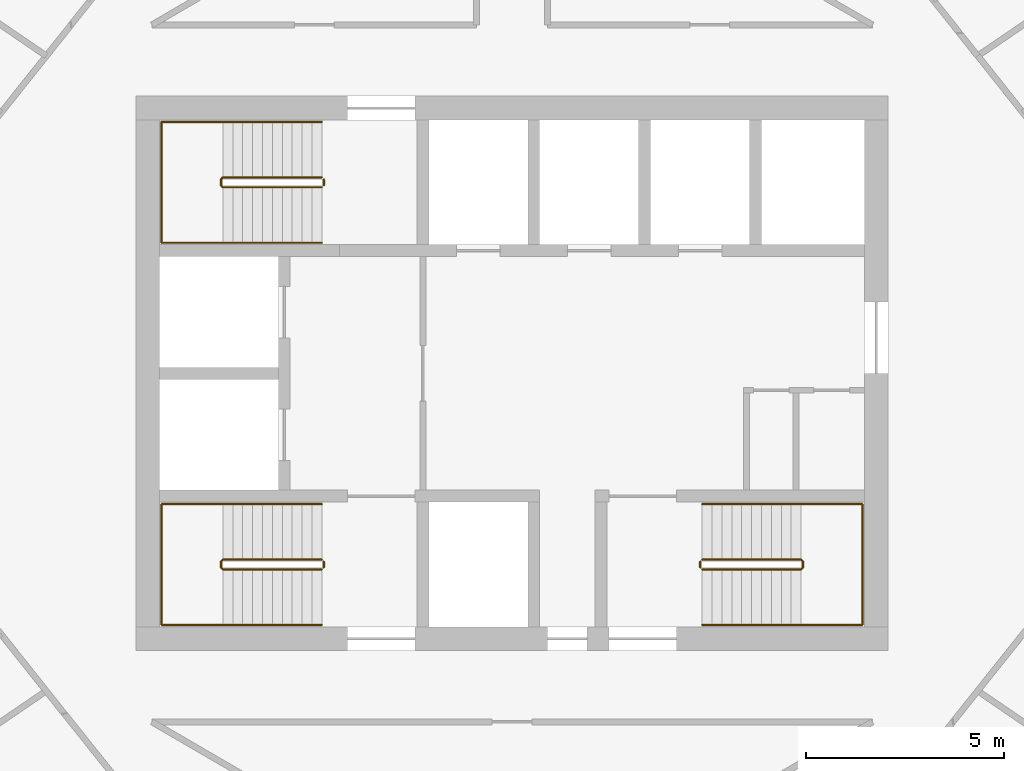
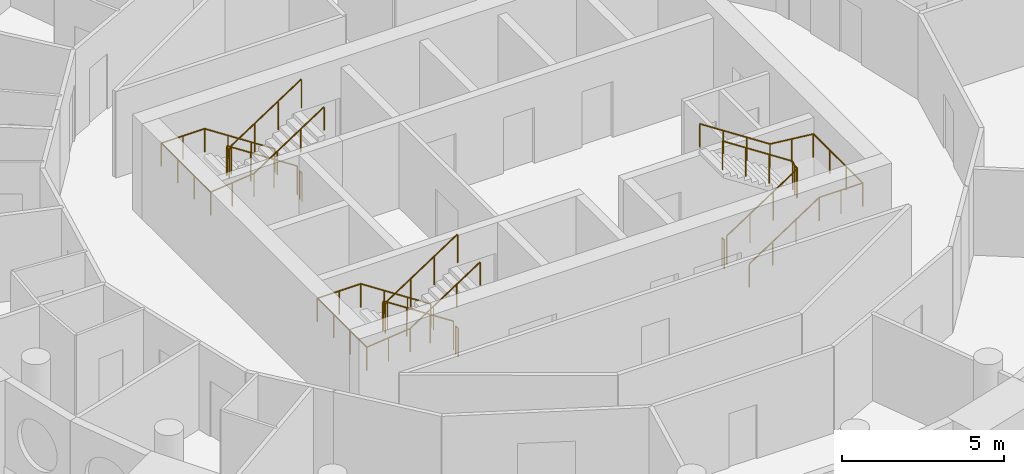
# One storey, part 13 of 13: 9 railings.
"""IFC4 building model written with IfcOpenShell, lengths in metres."""

from ifc_helpers import new_model, si_unit, direction, frame, origin, origin_2d, place, context, subcontext, project, spatial, circle, extrude, material, type_object, element, save


model = new_model("IFC4")

# Units and contexts
model_context = context("Model", 3, precision=1e-05, world=origin(), true_north=direction((0.0, 1.0)))
body_context = subcontext(model_context, "Body", "Model", "MODEL_VIEW")
ifc_project = project(units=[si_unit("LENGTHUNIT", "METRE"), si_unit("AREAUNIT", "SQUARE_METRE"), si_unit("VOLUMEUNIT", "CUBIC_METRE"), si_unit("PLANEANGLEUNIT", "RADIAN"), si_unit("MASSUNIT", "GRAM", prefix="KILO")], contexts=[model_context])

# Site, building, storey
site_placement = place(None, origin())
site = spatial("IfcSite", under=ifc_project, at=site_placement, CompositionType="ELEMENT")
building_placement = place(site_placement, origin())
building = spatial("IfcBuilding", under=site, at=building_placement, Name="Tracery Tower", CompositionType="ELEMENT")
storey_placement = place(building_placement, frame((0.0, 0.0, 309.0)))
storey = spatial("IfcBuildingStorey", under=building, at=storey_placement, Name="L80", CompositionType="ELEMENT", Elevation=309.0)

# Railings
ifc_material_1 = material(Name="Stainless steel and laminated glass", Category="steel")
railing_type_1 = type_object("IfcRailingType", Name="Stair guard 1100", PredefinedType="GUARDRAIL", material=ifc_material_1)
railing_1_placement = place(storey_placement, frame((-4.800048828125, -4.699951171875, 0.16357421875)))
element("IfcRailing", 1, at=railing_1_placement, inside=storey, type_object=railing_type_1, Name="L80 stair ST1 guard 1", PredefinedType="GUARDRAIL", context=body_context, shape_type="SweptSolid", body=[
    extrude(circle(Radius=0.02392578125, at=origin_2d()), frame((0.0, 0.0, 1.076171875), z_axis=(-0.83668449804, 0.0, 0.54768517484), x_axis=(0.0, -1.0, 0.0)), (0.0, 0.0, 1.0), 2.988037109375),
    extrude(circle(Radius=0.02392578125, at=origin_2d()), frame((-2.5, 0.0, 2.71240234375), z_axis=(-0.707106781187, -0.707106781187, 0.0), x_axis=(0.707106781187, -0.707106781187, 0.0)), (0.0, 0.0, 1.0), 0.07080078125),
    extrude(circle(Radius=0.02392578125, at=origin_2d()), frame((-2.550048828125, -0.050048828125, 2.71240234375), z_axis=(0.0, -1.0, 0.0), x_axis=(1.0, 0.0, 0.0)), (0.0, 0.0, 1.0), 0.14990234375),
    extrude(circle(Radius=0.02392578125, at=origin_2d()), frame((-2.550048828125, -0.199951171875, 2.71240234375), z_axis=(0.280808744504, -0.280808744504, 0.917765164963), x_axis=(0.707106781187, 0.707106781187, 0.0)), (0.0, 0.0, 1.0), 0.17822265625),
    extrude(circle(Radius=0.02392578125, at=origin_2d()), frame((-2.5, -0.25, 2.8759765625), z_axis=(0.83668449804, 0.0, 0.54768517484), x_axis=(0.0, 1.0, 0.0)), (0.0, 0.0, 1.0), 2.988037109375),
    extrude(circle(Radius=0.02099609375, at=origin_2d()), origin(), (0.0, 0.0, 1.0), 1.052001953125),
    extrude(circle(Radius=0.02099609375, at=origin_2d()), frame((-0.833251953125, 0.0, 0.54541015625)), (0.0, 0.0, 1.0), 1.052001953125),
    extrude(circle(Radius=0.02099609375, at=origin_2d()), frame((-1.666748046875, 0.0, 1.091064453125)), (0.0, 0.0, 1.0), 1.052001953125),
    extrude(circle(Radius=0.02099609375, at=origin_2d()), frame((-2.5, 0.0, 1.636474609375)), (0.0, 0.0, 1.0), 1.052001953125),
    extrude(circle(Radius=0.02099609375, at=origin_2d()), frame((-2.550048828125, -0.050048828125, 1.636474609375)), (0.0, 0.0, 1.0), 1.052001953125),
    extrude(circle(Radius=0.02099609375, at=origin_2d()), frame((-2.550048828125, -0.199951171875, 1.636474609375)), (0.0, 0.0, 1.0), 1.052001953125),
    extrude(circle(Radius=0.02099609375, at=origin_2d()), frame((-2.5, -0.25, 1.800048828125)), (0.0, 0.0, 1.0), 1.052001953125),
    extrude(circle(Radius=0.02099609375, at=origin_2d()), frame((-1.666748046875, -0.25, 2.345458984375)), (0.0, 0.0, 1.0), 1.052001953125),
    extrude(circle(Radius=0.02099609375, at=origin_2d()), frame((-0.833251953125, -0.25, 2.89111328125)), (0.0, 0.0, 1.0), 1.052001953125),
    extrude(circle(Radius=0.02099609375, at=origin_2d()), frame((0.0, -0.25, 3.4365234375)), (0.0, 0.0, 1.0), 1.052001953125),
])
railing_2_placement = place(storey_placement, frame((-4.75, -4.75, 0.0)))
element("IfcRailing", 2, at=railing_2_placement, inside=storey, type_object=railing_type_1, Name="L80 stair ST1 guard 2", PredefinedType="GUARDRAIL", context=body_context, shape_type="SweptSolid", body=[
    extrude(circle(Radius=0.02392578125, at=origin_2d()), frame((0.0, 0.0, 1.076171875), z_axis=(0.0, -1.0, 0.0), x_axis=(1.0, 0.0, 0.0)), (0.0, 0.0, 1.0), 0.14990234375),
    extrude(circle(Radius=0.02099609375, at=origin_2d()), origin(), (0.0, 0.0, 1.0), 1.052001953125),
    extrude(circle(Radius=0.02099609375, at=origin_2d()), frame((0.0, -0.14990234375, 0.0)), (0.0, 0.0, 1.0), 1.052001953125),
])
railing_3_placement = place(storey_placement, frame((-4.800048828125, 4.949951171875, 0.16357421875)))
element("IfcRailing", 3, at=railing_3_placement, inside=storey, type_object=railing_type_1, Name="L80 stair ST3 guard 1", PredefinedType="GUARDRAIL", context=body_context, shape_type="SweptSolid", body=[
    extrude(circle(Radius=0.02392578125, at=origin_2d()), frame((0.0, 0.0, 1.076171875), z_axis=(-0.83668449804, 0.0, 0.54768517484), x_axis=(0.0, -1.0, 0.0)), (0.0, 0.0, 1.0), 2.988037109375),
    extrude(circle(Radius=0.02392578125, at=origin_2d()), frame((-2.5, 0.0, 2.71240234375), z_axis=(-0.707106781187, -0.707106781187, 0.0), x_axis=(0.707106781187, -0.707106781187, 0.0)), (0.0, 0.0, 1.0), 0.07080078125),
    extrude(circle(Radius=0.02392578125, at=origin_2d()), frame((-2.550048828125, -0.050048828125, 2.71240234375), z_axis=(0.0, -1.0, 0.0), x_axis=(1.0, 0.0, 0.0)), (0.0, 0.0, 1.0), 0.14990234375),
    extrude(circle(Radius=0.02392578125, at=origin_2d()), frame((-2.550048828125, -0.199951171875, 2.71240234375), z_axis=(0.280808744504, -0.280808744504, 0.917765164963), x_axis=(0.707106781187, 0.707106781187, 0.0)), (0.0, 0.0, 1.0), 0.17822265625),
    extrude(circle(Radius=0.02392578125, at=origin_2d()), frame((-2.5, -0.25, 2.8759765625), z_axis=(0.83668449804, 0.0, 0.54768517484), x_axis=(0.0, 1.0, 0.0)), (0.0, 0.0, 1.0), 2.988037109375),
    extrude(circle(Radius=0.02099609375, at=origin_2d()), origin(), (0.0, 0.0, 1.0), 1.052001953125),
    extrude(circle(Radius=0.02099609375, at=origin_2d()), frame((-0.833251953125, 0.0, 0.54541015625)), (0.0, 0.0, 1.0), 1.052001953125),
    extrude(circle(Radius=0.02099609375, at=origin_2d()), frame((-1.666748046875, 0.0, 1.091064453125)), (0.0, 0.0, 1.0), 1.052001953125),
    extrude(circle(Radius=0.02099609375, at=origin_2d()), frame((-2.5, 0.0, 1.636474609375)), (0.0, 0.0, 1.0), 1.052001953125),
    extrude(circle(Radius=0.02099609375, at=origin_2d()), frame((-2.550048828125, -0.050048828125, 1.636474609375)), (0.0, 0.0, 1.0), 1.052001953125),
    extrude(circle(Radius=0.02099609375, at=origin_2d()), frame((-2.550048828125, -0.199951171875, 1.636474609375)), (0.0, 0.0, 1.0), 1.052001953125),
    extrude(circle(Radius=0.02099609375, at=origin_2d()), frame((-2.5, -0.25, 1.800048828125)), (0.0, 0.0, 1.0), 1.052001953125),
    extrude(circle(Radius=0.02099609375, at=origin_2d()), frame((-1.666748046875, -0.25, 2.345458984375)), (0.0, 0.0, 1.0), 1.052001953125),
    extrude(circle(Radius=0.02099609375, at=origin_2d()), frame((-0.833251953125, -0.25, 2.89111328125)), (0.0, 0.0, 1.0), 1.052001953125),
    extrude(circle(Radius=0.02099609375, at=origin_2d()), frame((0.0, -0.25, 3.4365234375)), (0.0, 0.0, 1.0), 1.052001953125),
])
railing_4_placement = place(storey_placement, frame((-4.75, 4.89990234375, 0.0)))
element("IfcRailing", 4, at=railing_4_placement, inside=storey, type_object=railing_type_1, Name="L80 stair ST3 guard 2", PredefinedType="GUARDRAIL", context=body_context, shape_type="SweptSolid", body=[
    extrude(circle(Radius=0.02392578125, at=origin_2d()), frame((0.0, 0.0, 1.076171875), z_axis=(0.0, -1.0, 0.0), x_axis=(1.0, 0.0, 0.0)), (0.0, 0.0, 1.0), 0.14990234375),
    extrude(circle(Radius=0.02099609375, at=origin_2d()), origin(), (0.0, 0.0, 1.0), 1.052001953125),
    extrude(circle(Radius=0.02099609375, at=origin_2d()), frame((0.0, -0.14990234375, 0.0)), (0.0, 0.0, 1.0), 1.052001953125),
])
railing_5_placement = place(storey_placement, frame((4.800048828125, -4.949951171875, 0.16357421875)))
element("IfcRailing", 5, at=railing_5_placement, inside=storey, type_object=railing_type_1, Name="L80 stair ST2 guard 1", PredefinedType="GUARDRAIL", context=body_context, shape_type="SweptSolid", body=[
    extrude(circle(Radius=0.02392578125, at=origin_2d()), frame((0.0, 0.0, 1.076171875), z_axis=(0.83668449804, 0.0, 0.54768517484), x_axis=(0.0, 1.0, 0.0)), (0.0, 0.0, 1.0), 2.988037109375),
    extrude(circle(Radius=0.02392578125, at=origin_2d()), frame((2.5, 0.0, 2.71240234375), z_axis=(0.707106781187, 0.707106781187, 0.0), x_axis=(-0.707106781187, 0.707106781187, 0.0)), (0.0, 0.0, 1.0), 0.07080078125),
    extrude(circle(Radius=0.02392578125, at=origin_2d()), frame((2.550048828125, 0.050048828125, 2.71240234375), z_axis=(0.0, 1.0, 0.0), x_axis=(-1.0, 0.0, 0.0)), (0.0, 0.0, 1.0), 0.14990234375),
    extrude(circle(Radius=0.02392578125, at=origin_2d()), frame((2.550048828125, 0.199951171875, 2.71240234375), z_axis=(-0.280808744504, 0.280808744504, 0.917765164963), x_axis=(-0.707106781187, -0.707106781187, 0.0)), (0.0, 0.0, 1.0), 0.17822265625),
    extrude(circle(Radius=0.02392578125, at=origin_2d()), frame((2.5, 0.25, 2.8759765625), z_axis=(-0.83668449804, 0.0, 0.54768517484), x_axis=(0.0, -1.0, 0.0)), (0.0, 0.0, 1.0), 2.988037109375),
    extrude(circle(Radius=0.02099609375, at=origin_2d()), origin(), (0.0, 0.0, 1.0), 1.052001953125),
    extrude(circle(Radius=0.02099609375, at=origin_2d()), frame((0.833251953125, 0.0, 0.54541015625)), (0.0, 0.0, 1.0), 1.052001953125),
    extrude(circle(Radius=0.02099609375, at=origin_2d()), frame((1.666748046875, 0.0, 1.091064453125)), (0.0, 0.0, 1.0), 1.052001953125),
    extrude(circle(Radius=0.02099609375, at=origin_2d()), frame((2.5, 0.0, 1.636474609375)), (0.0, 0.0, 1.0), 1.052001953125),
    extrude(circle(Radius=0.02099609375, at=origin_2d()), frame((2.550048828125, 0.050048828125, 1.636474609375)), (0.0, 0.0, 1.0), 1.052001953125),
    extrude(circle(Radius=0.02099609375, at=origin_2d()), frame((2.550048828125, 0.199951171875, 1.636474609375)), (0.0, 0.0, 1.0), 1.052001953125),
    extrude(circle(Radius=0.02099609375, at=origin_2d()), frame((2.5, 0.25, 1.800048828125)), (0.0, 0.0, 1.0), 1.052001953125),
    extrude(circle(Radius=0.02099609375, at=origin_2d()), frame((1.666748046875, 0.25, 2.345458984375)), (0.0, 0.0, 1.0), 1.052001953125),
    extrude(circle(Radius=0.02099609375, at=origin_2d()), frame((0.833251953125, 0.25, 2.89111328125)), (0.0, 0.0, 1.0), 1.052001953125),
    extrude(circle(Radius=0.02099609375, at=origin_2d()), frame((0.0, 0.25, 3.4365234375)), (0.0, 0.0, 1.0), 1.052001953125),
])
railing_6_placement = place(storey_placement, frame((4.75, -4.89990234375, 0.0)))
element("IfcRailing", 6, at=railing_6_placement, inside=storey, type_object=railing_type_1, Name="L80 stair ST2 guard 2", PredefinedType="GUARDRAIL", context=body_context, shape_type="SweptSolid", body=[
    extrude(circle(Radius=0.02392578125, at=origin_2d()), frame((0.0, 0.0, 1.076171875), z_axis=(0.0, 1.0, 0.0), x_axis=(-1.0, 0.0, 0.0)), (0.0, 0.0, 1.0), 0.14990234375),
    extrude(circle(Radius=0.02099609375, at=origin_2d()), origin(), (0.0, 0.0, 1.0), 1.052001953125),
    extrude(circle(Radius=0.02099609375, at=origin_2d()), frame((0.0, 0.14990234375, 0.0)), (0.0, 0.0, 1.0), 1.052001953125),
])
ifc_material_2 = material(Name="Stainless steel and laminated glass", Category="steel")
railing_type_2 = type_object("IfcRailingType", Name="Stair handrail 900", PredefinedType="HANDRAIL", material=ifc_material_2)
railing_7_placement = place(storey_placement, frame((-4.800048828125, -3.300048828125, 0.16357421875)))
element("IfcRailing", 7, at=railing_7_placement, inside=storey, type_object=railing_type_2, Name="L80 stair ST1 handrail 1", PredefinedType="HANDRAIL", context=body_context, shape_type="SweptSolid", body=[
    extrude(circle(Radius=0.02392578125, at=origin_2d()), frame((0.0, 0.0, 0.8759765625), z_axis=(-0.83668449804, 0.0, 0.54768517484), x_axis=(0.0, -1.0, 0.0)), (0.0, 0.0, 1.0), 2.988037109375),
    extrude(circle(Radius=0.02392578125, at=origin_2d()), frame((-2.5, 0.0, 2.51220703125), z_axis=(-1.0, 0.0, 0.0), x_axis=(0.0, -1.0, 0.0)), (0.0, 0.0, 1.0), 1.550048828125),
    extrude(circle(Radius=0.02392578125, at=origin_2d()), frame((-4.050048828125, 0.0, 2.51220703125), z_axis=(0.0, -1.0, 0.0), x_axis=(1.0, 0.0, 0.0)), (0.0, 0.0, 1.0), 3.050048828125),
    extrude(circle(Radius=0.02392578125, at=origin_2d()), frame((-4.050048828125, -3.050048828125, 2.51220703125), z_axis=(0.994477953863, 0.0, 0.104945696817), x_axis=(0.0, 1.0, 0.0)), (0.0, 0.0, 1.0), 1.55859375),
    extrude(circle(Radius=0.02392578125, at=origin_2d()), frame((-2.5, -3.050048828125, 2.67578125), z_axis=(0.83668449804, 0.0, 0.54768517484), x_axis=(0.0, 1.0, 0.0)), (0.0, 0.0, 1.0), 2.988037109375),
    extrude(circle(Radius=0.02099609375, at=origin_2d()), origin(), (0.0, 0.0, 1.0), 0.851806640625),
    extrude(circle(Radius=0.02099609375, at=origin_2d()), frame((-0.833251953125, 0.0, 0.54541015625)), (0.0, 0.0, 1.0), 0.851806640625),
    extrude(circle(Radius=0.02099609375, at=origin_2d()), frame((-1.666748046875, 0.0, 1.091064453125)), (0.0, 0.0, 1.0), 0.851806640625),
    extrude(circle(Radius=0.02099609375, at=origin_2d()), frame((-2.5, 0.0, 1.636474609375)), (0.0, 0.0, 1.0), 0.851806640625),
    extrude(circle(Radius=0.02099609375, at=origin_2d()), frame((-3.27490234375, 0.0, 1.636474609375)), (0.0, 0.0, 1.0), 0.851806640625),
    extrude(circle(Radius=0.02099609375, at=origin_2d()), frame((-4.050048828125, 0.0, 1.636474609375)), (0.0, 0.0, 1.0), 0.851806640625),
    extrude(circle(Radius=0.02099609375, at=origin_2d()), frame((-4.050048828125, -1.0166015625, 1.636474609375)), (0.0, 0.0, 1.0), 0.851806640625),
    extrude(circle(Radius=0.02099609375, at=origin_2d()), frame((-4.050048828125, -2.033447265625, 1.636474609375)), (0.0, 0.0, 1.0), 0.851806640625),
    extrude(circle(Radius=0.02099609375, at=origin_2d()), frame((-4.050048828125, -3.050048828125, 1.636474609375)), (0.0, 0.0, 1.0), 0.851806640625),
    extrude(circle(Radius=0.02099609375, at=origin_2d()), frame((-3.27490234375, -3.050048828125, 1.71826171875)), (0.0, 0.0, 1.0), 0.851806640625),
    extrude(circle(Radius=0.02099609375, at=origin_2d()), frame((-2.5, -3.050048828125, 1.800048828125)), (0.0, 0.0, 1.0), 0.851806640625),
    extrude(circle(Radius=0.02099609375, at=origin_2d()), frame((-1.666748046875, -3.050048828125, 2.345458984375)), (0.0, 0.0, 1.0), 0.851806640625),
    extrude(circle(Radius=0.02099609375, at=origin_2d()), frame((-0.833251953125, -3.050048828125, 2.89111328125)), (0.0, 0.0, 1.0), 0.851806640625),
    extrude(circle(Radius=0.02099609375, at=origin_2d()), frame((0.0, -3.050048828125, 3.4365234375)), (0.0, 0.0, 1.0), 0.851806640625),
])
railing_8_placement = place(storey_placement, frame((-4.800048828125, 6.35009765625, 0.16357421875)))
element("IfcRailing", 8, at=railing_8_placement, inside=storey, type_object=railing_type_2, Name="L80 stair ST3 handrail 1", PredefinedType="HANDRAIL", context=body_context, shape_type="SweptSolid", body=[
    extrude(circle(Radius=0.02392578125, at=origin_2d()), frame((0.0, 0.0, 0.8759765625), z_axis=(-0.83668449804, 0.0, 0.54768517484), x_axis=(0.0, -1.0, 0.0)), (0.0, 0.0, 1.0), 2.988037109375),
    extrude(circle(Radius=0.02392578125, at=origin_2d()), frame((-2.5, 0.0, 2.51220703125), z_axis=(-1.0, 0.0, 0.0), x_axis=(0.0, -1.0, 0.0)), (0.0, 0.0, 1.0), 1.550048828125),
    extrude(circle(Radius=0.02392578125, at=origin_2d()), frame((-4.050048828125, 0.0, 2.51220703125), z_axis=(0.0, -1.0, 0.0), x_axis=(1.0, 0.0, 0.0)), (0.0, 0.0, 1.0), 3.050048828125),
    extrude(circle(Radius=0.02392578125, at=origin_2d()), frame((-4.050048828125, -3.050048828125, 2.51220703125), z_axis=(0.994477953863, 0.0, 0.104945696817), x_axis=(0.0, 1.0, 0.0)), (0.0, 0.0, 1.0), 1.55859375),
    extrude(circle(Radius=0.02392578125, at=origin_2d()), frame((-2.5, -3.050048828125, 2.67578125), z_axis=(0.83668449804, 0.0, 0.54768517484), x_axis=(0.0, 1.0, 0.0)), (0.0, 0.0, 1.0), 2.988037109375),
    extrude(circle(Radius=0.02099609375, at=origin_2d()), origin(), (0.0, 0.0, 1.0), 0.851806640625),
    extrude(circle(Radius=0.02099609375, at=origin_2d()), frame((-0.833251953125, 0.0, 0.54541015625)), (0.0, 0.0, 1.0), 0.851806640625),
    extrude(circle(Radius=0.02099609375, at=origin_2d()), frame((-1.666748046875, 0.0, 1.091064453125)), (0.0, 0.0, 1.0), 0.851806640625),
    extrude(circle(Radius=0.02099609375, at=origin_2d()), frame((-2.5, 0.0, 1.636474609375)), (0.0, 0.0, 1.0), 0.851806640625),
    extrude(circle(Radius=0.02099609375, at=origin_2d()), frame((-3.27490234375, 0.0, 1.636474609375)), (0.0, 0.0, 1.0), 0.851806640625),
    extrude(circle(Radius=0.02099609375, at=origin_2d()), frame((-4.050048828125, 0.0, 1.636474609375)), (0.0, 0.0, 1.0), 0.851806640625),
    extrude(circle(Radius=0.02099609375, at=origin_2d()), frame((-4.050048828125, -1.0166015625, 1.636474609375)), (0.0, 0.0, 1.0), 0.851806640625),
    extrude(circle(Radius=0.02099609375, at=origin_2d()), frame((-4.050048828125, -2.033447265625, 1.636474609375)), (0.0, 0.0, 1.0), 0.851806640625),
    extrude(circle(Radius=0.02099609375, at=origin_2d()), frame((-4.050048828125, -3.050048828125, 1.636474609375)), (0.0, 0.0, 1.0), 0.851806640625),
    extrude(circle(Radius=0.02099609375, at=origin_2d()), frame((-3.27490234375, -3.050048828125, 1.71826171875)), (0.0, 0.0, 1.0), 0.851806640625),
    extrude(circle(Radius=0.02099609375, at=origin_2d()), frame((-2.5, -3.050048828125, 1.800048828125)), (0.0, 0.0, 1.0), 0.851806640625),
    extrude(circle(Radius=0.02099609375, at=origin_2d()), frame((-1.666748046875, -3.050048828125, 2.345458984375)), (0.0, 0.0, 1.0), 0.851806640625),
    extrude(circle(Radius=0.02099609375, at=origin_2d()), frame((-0.833251953125, -3.050048828125, 2.89111328125)), (0.0, 0.0, 1.0), 0.851806640625),
    extrude(circle(Radius=0.02099609375, at=origin_2d()), frame((0.0, -3.050048828125, 3.4365234375)), (0.0, 0.0, 1.0), 0.851806640625),
])
railing_9_placement = place(storey_placement, frame((4.800048828125, -6.35009765625, 0.16357421875)))
element("IfcRailing", 9, at=railing_9_placement, inside=storey, type_object=railing_type_2, Name="L80 stair ST2 handrail 1", PredefinedType="HANDRAIL", context=body_context, shape_type="SweptSolid", body=[
    extrude(circle(Radius=0.02392578125, at=origin_2d()), frame((0.0, 0.0, 0.8759765625), z_axis=(0.83668449804, 0.0, 0.54768517484), x_axis=(0.0, 1.0, 0.0)), (0.0, 0.0, 1.0), 2.988037109375),
    extrude(circle(Radius=0.02392578125, at=origin_2d()), frame((2.5, 0.0, 2.51220703125), z_axis=(1.0, 0.0, 0.0), x_axis=(0.0, 1.0, 0.0)), (0.0, 0.0, 1.0), 1.550048828125),
    extrude(circle(Radius=0.02392578125, at=origin_2d()), frame((4.050048828125, 0.0, 2.51220703125), z_axis=(0.0, 1.0, 0.0), x_axis=(-1.0, 0.0, 0.0)), (0.0, 0.0, 1.0), 3.050048828125),
    extrude(circle(Radius=0.02392578125, at=origin_2d()), frame((4.050048828125, 3.050048828125, 2.51220703125), z_axis=(-0.994477953863, 0.0, 0.104945696817), x_axis=(0.0, -1.0, 0.0)), (0.0, 0.0, 1.0), 1.55859375),
    extrude(circle(Radius=0.02392578125, at=origin_2d()), frame((2.5, 3.050048828125, 2.67578125), z_axis=(-0.83668449804, 0.0, 0.54768517484), x_axis=(0.0, -1.0, 0.0)), (0.0, 0.0, 1.0), 2.988037109375),
    extrude(circle(Radius=0.02099609375, at=origin_2d()), origin(), (0.0, 0.0, 1.0), 0.851806640625),
    extrude(circle(Radius=0.02099609375, at=origin_2d()), frame((0.833251953125, 0.0, 0.54541015625)), (0.0, 0.0, 1.0), 0.851806640625),
    extrude(circle(Radius=0.02099609375, at=origin_2d()), frame((1.666748046875, 0.0, 1.091064453125)), (0.0, 0.0, 1.0), 0.851806640625),
    extrude(circle(Radius=0.02099609375, at=origin_2d()), frame((2.5, 0.0, 1.636474609375)), (0.0, 0.0, 1.0), 0.851806640625),
    extrude(circle(Radius=0.02099609375, at=origin_2d()), frame((3.27490234375, 0.0, 1.636474609375)), (0.0, 0.0, 1.0), 0.851806640625),
    extrude(circle(Radius=0.02099609375, at=origin_2d()), frame((4.050048828125, 0.0, 1.636474609375)), (0.0, 0.0, 1.0), 0.851806640625),
    extrude(circle(Radius=0.02099609375, at=origin_2d()), frame((4.050048828125, 1.0166015625, 1.636474609375)), (0.0, 0.0, 1.0), 0.851806640625),
    extrude(circle(Radius=0.02099609375, at=origin_2d()), frame((4.050048828125, 2.033447265625, 1.636474609375)), (0.0, 0.0, 1.0), 0.851806640625),
    extrude(circle(Radius=0.02099609375, at=origin_2d()), frame((4.050048828125, 3.050048828125, 1.636474609375)), (0.0, 0.0, 1.0), 0.851806640625),
    extrude(circle(Radius=0.02099609375, at=origin_2d()), frame((3.27490234375, 3.050048828125, 1.71826171875)), (0.0, 0.0, 1.0), 0.851806640625),
    extrude(circle(Radius=0.02099609375, at=origin_2d()), frame((2.5, 3.050048828125, 1.800048828125)), (0.0, 0.0, 1.0), 0.851806640625),
    extrude(circle(Radius=0.02099609375, at=origin_2d()), frame((1.666748046875, 3.050048828125, 2.345458984375)), (0.0, 0.0, 1.0), 0.851806640625),
    extrude(circle(Radius=0.02099609375, at=origin_2d()), frame((0.833251953125, 3.050048828125, 2.89111328125)), (0.0, 0.0, 1.0), 0.851806640625),
    extrude(circle(Radius=0.02099609375, at=origin_2d()), frame((0.0, 3.050048828125, 3.4365234375)), (0.0, 0.0, 1.0), 0.851806640625),
])

save(model, "model.ifc")
